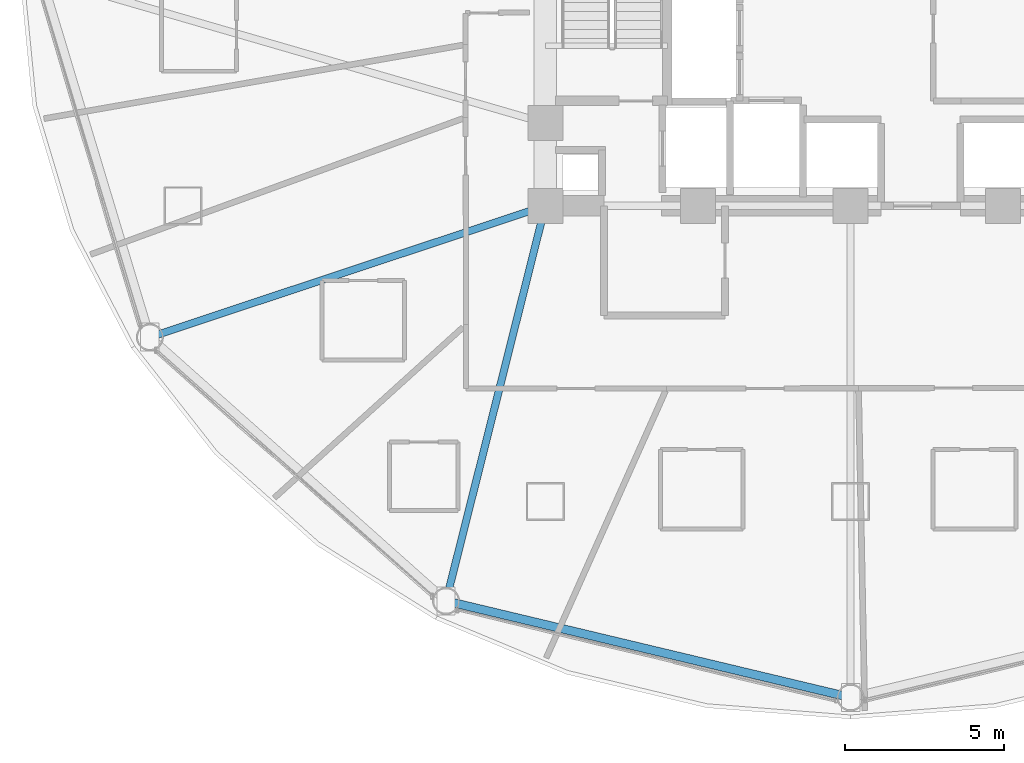
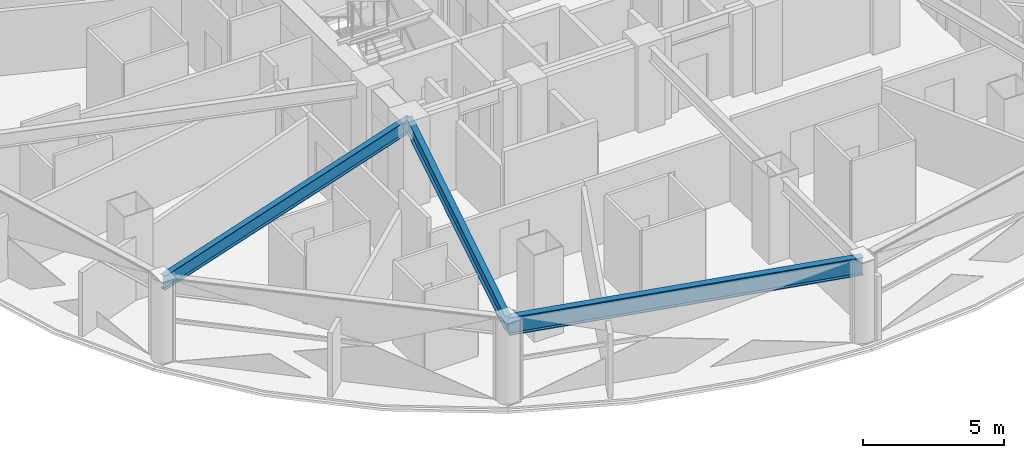
# One storey, part 4 of 31: 3 beams.
"""IFC4 building model written with IfcOpenShell, lengths in metres."""

from ifc_helpers import new_model, si_unit, direction, frame, origin, origin_2d, place, context, subcontext, project, spatial, i_section, extrude, material, material_profile, profile_set, type_object, element, save


model = new_model("IFC4")

# Units and contexts
model_context = context("Model", 3, precision=1e-05, world=origin(), true_north=direction((0.0, 1.0)))
body_context = subcontext(model_context, "Body", "Model", "MODEL_VIEW")
ifc_project = project(units=[si_unit("LENGTHUNIT", "METRE"), si_unit("AREAUNIT", "SQUARE_METRE"), si_unit("VOLUMEUNIT", "CUBIC_METRE"), si_unit("PLANEANGLEUNIT", "RADIAN"), si_unit("MASSUNIT", "GRAM", prefix="KILO")], contexts=[model_context])

# Site, building, storey
site_placement = place(None, origin())
site = spatial("IfcSite", under=ifc_project, at=site_placement, CompositionType="ELEMENT")
building_placement = place(site_placement, origin())
building = spatial("IfcBuilding", under=site, at=building_placement, Name="Vantalir Tower", CompositionType="ELEMENT")
storey_placement = place(building_placement, frame((0.0, 0.0, 30.75)))
storey = spatial("IfcBuildingStorey", under=building, at=storey_placement, Name="L06", CompositionType="ELEMENT", Elevation=30.75)

# Beams
ifc_material_1 = material(Name="Steel S355", Category="steel")
ifc_material_profile_1 = material_profile(ifc_material_1, i_section(OverallWidth=0.22998046875, OverallDepth=0.616943359375, WebThickness=0.01318359375, FlangeThickness=0.022216796875, at=origin_2d()), Name="Steel S355")
ifc_profile_set_1 = profile_set([ifc_material_profile_1], Name="Steel S355")
beam_type_1 = type_object("IfcBeamType", Name="BM-RB-610x229", PredefinedType="BEAM", material=ifc_profile_set_1)
beam_1_placement = place(storey_placement, frame((9.4599609375, 13.66796875, 3.261962890625), z_axis=(0.9490161576, 0.315227429984, 0.0), x_axis=(-0.315227429984, 0.9490161576, 0.0)))
element("IfcBeam", 1, at=beam_1_placement, inside=storey, type_object=beam_type_1, Name="L06 Radial Floor Beam 08", PredefinedType="BEAM", context=body_context, shape_type="SweptSolid", body=[
    extrude(i_section(OverallWidth=0.22998046875, OverallDepth=0.616943359375, WebThickness=0.01318359375, FlangeThickness=0.022216796875, at=origin_2d()), origin(), (0.0, 0.0, 1.0), 13.108154296875),
])
beam_2_placement = place(storey_placement, frame((18.77490234375, 5.3720703125, 3.261962890625), z_axis=(0.24385779031, 0.969811001229, 0.0), x_axis=(-0.969811001229, 0.24385779031, 0.0)))
element("IfcBeam", 2, at=beam_2_placement, inside=storey, type_object=beam_type_1, Name="L06 Radial Floor Beam 09", PredefinedType="BEAM", context=body_context, shape_type="SweptSolid", body=[
    extrude(i_section(OverallWidth=0.22998046875, OverallDepth=0.616943359375, WebThickness=0.01318359375, FlangeThickness=0.022216796875, at=origin_2d()), origin(), (0.0, 0.0, 1.0), 12.81494140625),
])
ifc_material_2 = material(Name="Steel S460", Category="steel")
ifc_material_profile_2 = material_profile(ifc_material_2, i_section(OverallWidth=0.26806640625, OverallDepth=0.77001953125, WebThickness=0.015625, FlangeThickness=0.025390625, at=origin_2d()), Name="Steel S460")
ifc_profile_set_2 = profile_set([ifc_material_profile_2], Name="Steel S460")
beam_type_2 = type_object("IfcBeamType", Name="BM-RG-762x267", PredefinedType="USERDEFINED", material=ifc_profile_set_2)
beam_3_placement = place(storey_placement, frame((18.77490234375, 5.3720703125, 3.18505859375), z_axis=(0.972696777879, -0.232079680935, 0.0), x_axis=(0.232079680935, 0.972696777879, 0.0)))
element("IfcBeam", 3, at=beam_3_placement, inside=storey, type_object=beam_type_2, Name="L06 Circumferential Ring Girder 09", ObjectType="GIRDER", PredefinedType="USERDEFINED", context=body_context, shape_type="SweptSolid", body=[
    extrude(i_section(OverallWidth=0.26806640625, OverallDepth=0.77001953125, WebThickness=0.015625, FlangeThickness=0.025390625, at=origin_2d()), origin(), (0.0, 0.0, 1.0), 13.082275390625),
])

save(model, "model.ifc")
